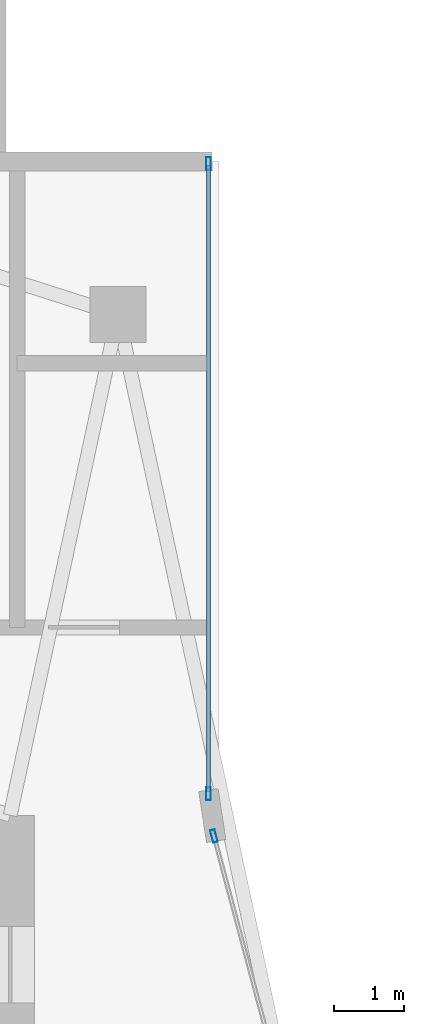
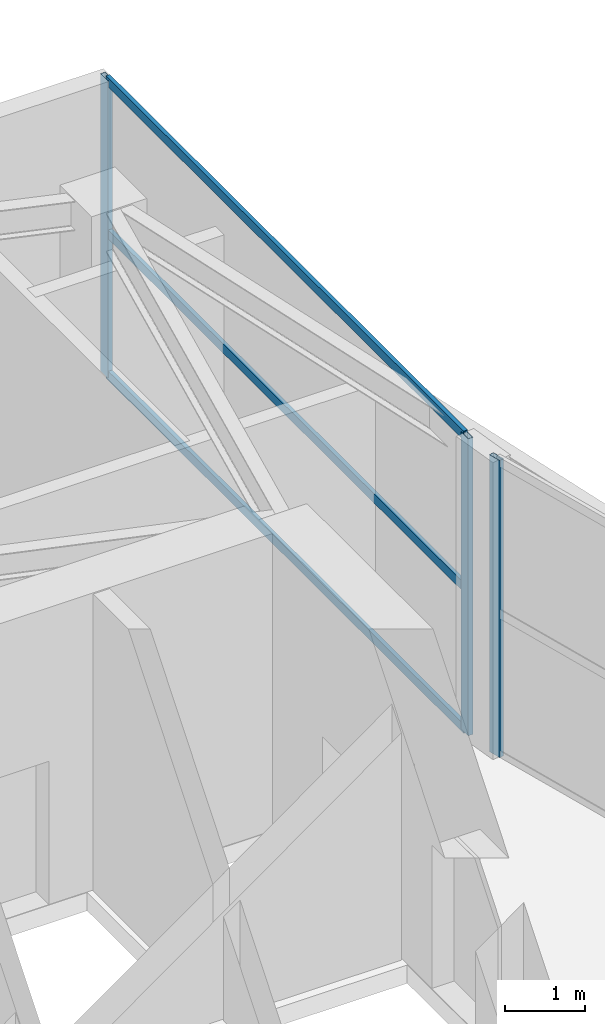
# One storey, part 6 of 16: 6 members, 2 elements without a shape of their own.
"""IFC4 building model written with IfcOpenShell, lengths in metres."""

from ifc_helpers import new_model, si_unit, direction, frame, origin, origin_2d, place, context, subcontext, project, spatial, hollow_rectangle, extrude, material, layer, layer_set, material_profile, profile_set, type_object, element, aggregate, save


model = new_model("IFC4")

# Units and contexts
model_context = context("Model", 3, precision=1e-05, world=origin(), true_north=direction((0.0, 1.0)))
body_context = subcontext(model_context, "Body", "Model", "MODEL_VIEW")
ifc_project = project(units=[si_unit("LENGTHUNIT", "METRE"), si_unit("AREAUNIT", "SQUARE_METRE"), si_unit("VOLUMEUNIT", "CUBIC_METRE"), si_unit("PLANEANGLEUNIT", "RADIAN"), si_unit("MASSUNIT", "GRAM", prefix="KILO")], contexts=[model_context])

# Site, building, storey
site_placement = place(None, origin())
site = spatial("IfcSite", under=ifc_project, at=site_placement, CompositionType="ELEMENT")
building_placement = place(site_placement, origin())
building = spatial("IfcBuilding", under=site, at=building_placement, Name="Calvorn Quay Hotel", CompositionType="ELEMENT")
storey_placement = place(building_placement, frame((0.0, 0.0, 234.5)))
storey = spatial("IfcBuildingStorey", under=building, at=storey_placement, Name="L58", CompositionType="ELEMENT", Elevation=234.5)

# Curtain wall, member
ifc_material_1 = material(Name="Champagne Bronze Anodised Aluminium and Low-E Glass", Category="aluminium")
ifc_layer = layer(ifc_material_1, 0.219970703125)
ifc_layer_set = layer_set([ifc_layer], Name="CW-SYS-Z3")
curtain_wall_type = type_object("IfcCurtainWallType", Name="CW-SYS-Z3", PredefinedType="NOTDEFINED", material=ifc_layer_set)
curtain_wall_1_placement = place(storey_placement, origin())
curtain_wall_1 = element("IfcCurtainWall", 1, at=curtain_wall_1_placement, inside=storey, type_object=curtain_wall_type, Name="Inner Court Curtain Wall L58-IC1", PredefinedType="NOTDEFINED")
ifc_material_2 = material(Name="Champagne Bronze Anodised Aluminium 6063-T6", Category="aluminium")
ifc_material_profile_1 = material_profile(ifc_material_2, hollow_rectangle(XDim=0.068115234375, YDim=0.18505859375, WallThickness=0.00390625, at=origin_2d()), Name="ALU-M185x68x4")
ifc_profile_set_1 = profile_set([ifc_material_profile_1], Name="Champagne Bronze Anodised Aluminium 6063-T6")
member_type_1 = type_object("IfcMemberType", Name="CW-SYS-Z3-MUL", PredefinedType="MULLION", material=ifc_profile_set_1)
member_1_placement = place(storey_placement, frame((17.9296875, 38.10107421875, 0.0), z_axis=(0.0, 0.0, 1.0), x_axis=(-0.96593652056, -0.25877913024, 0.0)))
member_1 = element("IfcMember", 2, at=member_1_placement, type_object=member_type_1, Name="CW-L58-IC1 mullion 2", PredefinedType="MULLION", context=body_context, shape_type="SweptSolid", body=[
    extrude(hollow_rectangle(XDim=0.068115234375, YDim=0.18505859375, WallThickness=0.00390625, at=origin_2d()), origin(), (0.0, 0.0, 1.0), 4.56005859375),
])
aggregate(curtain_wall_1, [member_1])

# Curtain wall, members
curtain_wall_2_placement = place(storey_placement, origin())
curtain_wall_2 = element("IfcCurtainWall", 3, at=curtain_wall_2_placement, inside=storey, type_object=curtain_wall_type, Name="Inner Court Curtain Wall L58-IC2", PredefinedType="NOTDEFINED")
member_2_placement = place(storey_placement, frame((17.85009765625, 38.7099609375, 0.0), z_axis=(0.0, 0.0, 1.0), x_axis=(-1.0, 0.0, 0.0)))
member_2 = element("IfcMember", 4, at=member_2_placement, type_object=member_type_1, Name="CW-L58-IC2 mullion 1", PredefinedType="MULLION", context=body_context, shape_type="SweptSolid", body=[
    extrude(hollow_rectangle(XDim=0.068115234375, YDim=0.18505859375, WallThickness=0.00390625, at=origin_2d()), origin(), (0.0, 0.0, 1.0), 4.56005859375),
])
member_3_placement = place(storey_placement, frame((17.85009765625, 47.77001953125, 0.0), z_axis=(0.0, 0.0, 1.0), x_axis=(-1.0, 0.0, 0.0)))
member_3 = element("IfcMember", 5, at=member_3_placement, type_object=member_type_1, Name="CW-L58-IC2 mullion 2", PredefinedType="MULLION", context=body_context, shape_type="SweptSolid", body=[
    extrude(hollow_rectangle(XDim=0.068115234375, YDim=0.18505859375, WallThickness=0.00390625, at=origin_2d()), origin(), (0.0, 0.0, 1.0), 4.56005859375),
])
ifc_material_3 = material(Name="Champagne Bronze Anodised Aluminium 6063-T6", Category="aluminium")
ifc_material_profile_2 = material_profile(ifc_material_3, hollow_rectangle(XDim=0.05810546875, YDim=0.139892578125, WallThickness=0.003173828125, at=origin_2d()), Name="ALU-T140x58x3.2")
ifc_profile_set_2 = profile_set([ifc_material_profile_2], Name="Champagne Bronze Anodised Aluminium 6063-T6")
member_type_2 = type_object("IfcMemberType", Name="CW-SYS-Z3-TRN", PredefinedType="USERDEFINED", material=ifc_profile_set_2)
member_4_placement = place(storey_placement, frame((17.85009765625, 38.739990234375, 0.030029296875), z_axis=(0.0, 1.0, 0.0), x_axis=(-1.0, 0.0, 0.0)))
member_4 = element("IfcMember", 6, at=member_4_placement, type_object=member_type_2, Name="CW-L58-IC2 transom 1.1", ObjectType="TRANSOM", PredefinedType="USERDEFINED", context=body_context, shape_type="SweptSolid", body=[
    extrude(hollow_rectangle(XDim=0.05810546875, YDim=0.139892578125, WallThickness=0.003173828125, at=origin_2d()), origin(), (0.0, 0.0, 1.0), 9.0),
])
member_5_placement = place(storey_placement, frame((17.85009765625, 38.739990234375, 2.199951171875), z_axis=(0.0, 1.0, 0.0), x_axis=(-1.0, 0.0, 0.0)))
member_5 = element("IfcMember", 7, at=member_5_placement, type_object=member_type_2, Name="CW-L58-IC2 transom 1.2", ObjectType="TRANSOM", PredefinedType="USERDEFINED", context=body_context, shape_type="SweptSolid", body=[
    extrude(hollow_rectangle(XDim=0.05810546875, YDim=0.139892578125, WallThickness=0.003173828125, at=origin_2d()), origin(), (0.0, 0.0, 1.0), 9.0),
])
member_6_placement = place(storey_placement, frame((17.85009765625, 38.739990234375, 4.530029296875), z_axis=(0.0, 1.0, 0.0), x_axis=(-1.0, 0.0, 0.0)))
member_6 = element("IfcMember", 8, at=member_6_placement, type_object=member_type_2, Name="CW-L58-IC2 transom 1.3", ObjectType="TRANSOM", PredefinedType="USERDEFINED", context=body_context, shape_type="SweptSolid", body=[
    extrude(hollow_rectangle(XDim=0.05810546875, YDim=0.139892578125, WallThickness=0.003173828125, at=origin_2d()), origin(), (0.0, 0.0, 1.0), 9.0),
])
aggregate(curtain_wall_2, [member_2, member_3, member_4, member_5, member_6])

save(model, "model.ifc")
